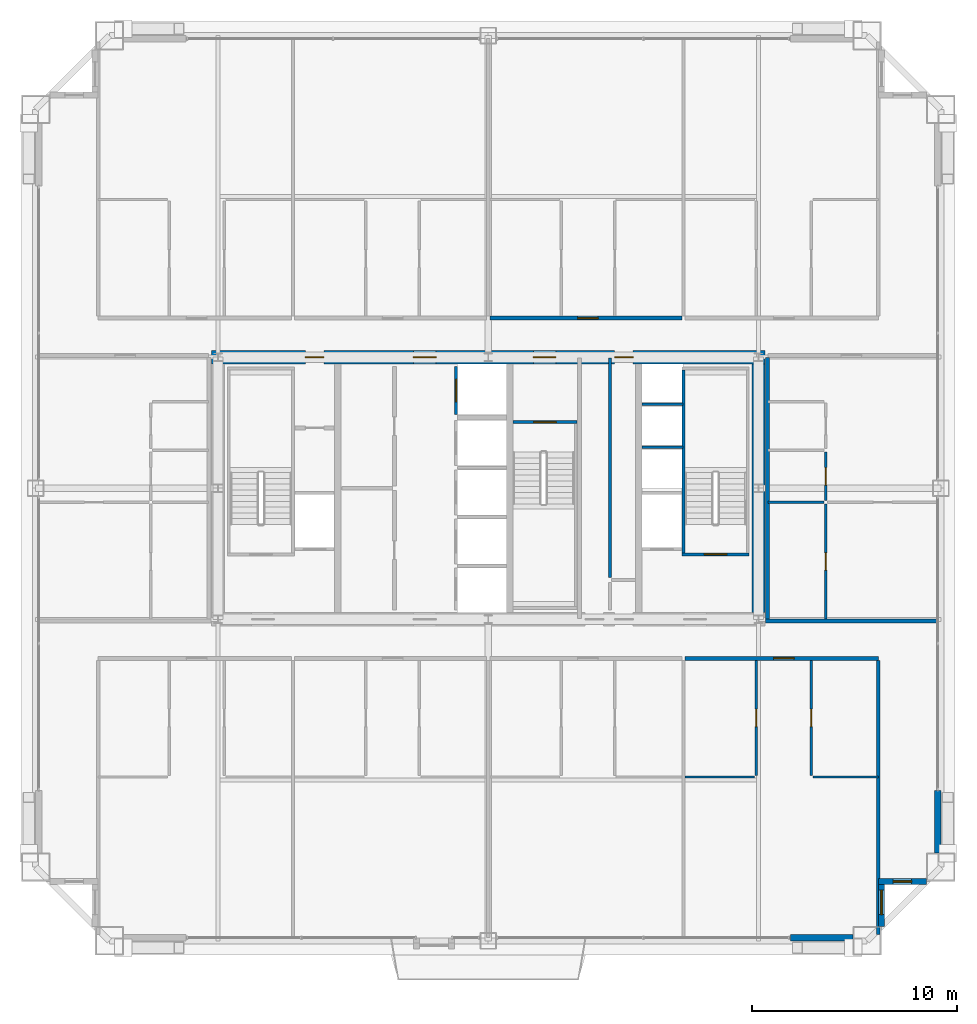
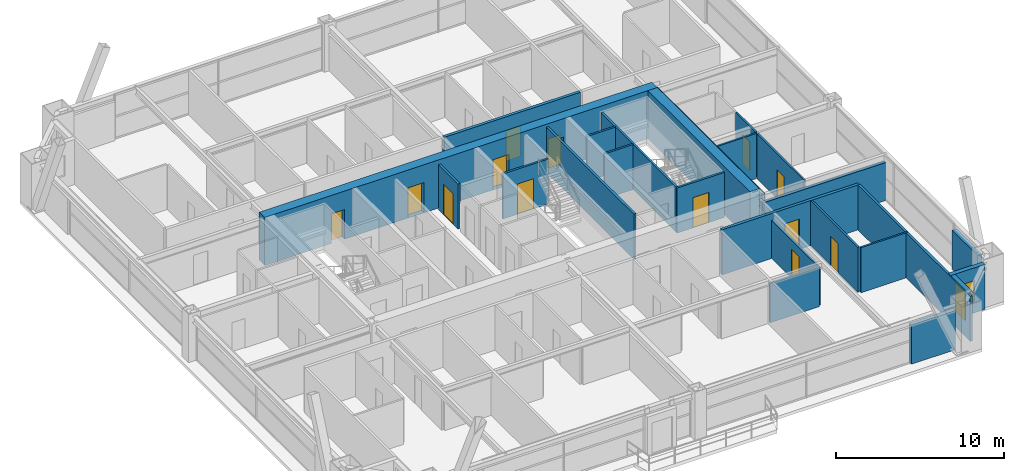
# One storey, part 39 of 42: 25 walls, 13 doors, 2 windows, 15 openings.
"""IFC4 building model written with IfcOpenShell, lengths in metres."""

from ifc_helpers import new_model, si_unit, direction, frame, frame_2d, origin, place, context, subcontext, project, spatial, rectangle, extrude, source, transform, mapped, material, layer, layer_set, type_object, element, fill, save


model = new_model("IFC4")

# Units and contexts
model_context = context("Model", 3, precision=1e-05, world=origin(), true_north=direction((0.0, 1.0)))
body_context = subcontext(model_context, "Body", "Model", "MODEL_VIEW")
ifc_project = project(units=[si_unit("LENGTHUNIT", "METRE"), si_unit("AREAUNIT", "SQUARE_METRE"), si_unit("VOLUMEUNIT", "CUBIC_METRE"), si_unit("PLANEANGLEUNIT", "RADIAN"), si_unit("MASSUNIT", "GRAM", prefix="KILO"), si_unit("THERMODYNAMICTEMPERATUREUNIT", "KELVIN"), si_unit("POWERUNIT", "WATT")], contexts=[model_context])

# Site, building, storey
site_placement = place(None, origin())
site = spatial("IfcSite", under=ifc_project, at=site_placement, CompositionType="ELEMENT")
building_placement = place(site_placement, origin())
building = spatial("IfcBuilding", under=site, at=building_placement, Name="Yuzanri Waterfront Tower", CompositionType="ELEMENT")
storey_placement = place(building_placement, frame((0.0, 0.0, 184.5)))
storey = spatial("IfcBuildingStorey", under=building, at=storey_placement, Name="L48", CompositionType="ELEMENT", Elevation=184.5)

# Wall, opening, door
ifc_material_1 = material(Name="Moisture-Resistant Gypsum Stud Wall", Category="gypsum")
ifc_layer_1 = layer(ifc_material_1, 0.1201171875)
ifc_layer_set_1 = layer_set([ifc_layer_1], Name="Moisture-Resistant Gypsum Stud Wall")
wall_type_1 = type_object("IfcWallType", Name="Bathroom and Kitchen Wet Partition 120", PredefinedType="PARTITIONING", material=ifc_layer_set_1)
wall_1_placement = place(storey_placement, frame((50.090087890625, 11.780029296875, 0.0), z_axis=(0.0, 0.0, 1.0), x_axis=(0.0, 1.0, 0.0)))
wall_1 = element("IfcWall", 1, at=wall_1_placement, inside=storey, type_object=wall_type_1, Name="L48 Partition UW-L48-RS4-SUB-1-E", PredefinedType="PARTITIONING", context=body_context, shape_type="SweptSolid", body=[
    extrude(rectangle(XDim=5.60986328125, YDim=0.1201171875, at=frame_2d((2.804931640625, 0.0))), origin(), (0.0, 0.0, 1.0), 2.77490234375),
])
opening_1_placement = place(wall_1_placement, frame((2.3798828125, 0.0, 0.0)))
opening_1 = element("IfcOpeningElement", 2, at=opening_1_placement, cuts=wall_1, Name="Opening ID-0850", PredefinedType="OPENING", context=body_context, shape_type="SweptSolid", body=[
    extrude(rectangle(XDim=0.85009765625, YDim=2.10009765625, at=frame_2d((0.425048828125, 1.050048828125))), frame((0.0, 0.074951171875, 0.0), z_axis=(0.0, -1.0, 0.0), x_axis=(1.0, 0.0, 0.0)), (0.0, 0.0, 1.0), 0.14990234375),
])
ifc_material_2 = material(Name="Moisture-Resistant Lacquered Timber", Category="wood")
door_type_1 = type_object("IfcDoorType", Name="En-Suite Bathroom and Kitchen Swing Door 850x2100", OperationType="NOTDEFINED", PredefinedType="DOOR", material=ifc_material_2)
shared_shape_1 = source(origin(), body_context, "Body", "SweptSolid", [
    extrude(rectangle(XDim=0.85009765625, YDim=2.10009765625, at=frame_2d((0.425048828125, 1.050048828125))), frame((0.0, 0.02490234375, 0.0), z_axis=(0.0, -1.0, 0.0), x_axis=(1.0, 0.0, 0.0)), (0.0, 0.0, 1.0), 0.050048828125),
])
door_1_placement = place(opening_1_placement, origin())
door_1 = element("IfcDoor", 3, at=door_1_placement, inside=storey, type_object=door_type_1, Name="L48 Suite Interior Room Door", OperationType="SINGLE_SWING_LEFT", OverallHeight=2.10009765625, OverallWidth=0.85009765625, PredefinedType="DOOR", context=body_context, shape_type="MappedRepresentation", body=[
    mapped(shared_shape_1, transform((0.0, 0.0, 0.0), scale=1.0)),
])
fill(opening_1, door_1)

wall_2_placement = place(storey_placement, frame((52.780029296875, 11.780029296875, 0.0), z_axis=(0.0, 0.0, 1.0), x_axis=(0.0, 1.0, 0.0)))
wall_2 = element("IfcWall", 4, at=wall_2_placement, inside=storey, type_object=wall_type_1, Name="L48 Partition UW-L48-RS4-SUB-2-W", PredefinedType="PARTITIONING", context=body_context, shape_type="SweptSolid", body=[
    extrude(rectangle(XDim=5.60986328125, YDim=0.1201171875, at=frame_2d((2.804931640625, 0.0))), origin(), (0.0, 0.0, 1.0), 3.280029296875),
])
opening_2_placement = place(wall_2_placement, frame((2.3798828125, 0.0, 0.0)))
opening_2 = element("IfcOpeningElement", 5, at=opening_2_placement, cuts=wall_2, Name="Opening ID-0850", PredefinedType="OPENING", context=body_context, shape_type="SweptSolid", body=[
    extrude(rectangle(XDim=0.85009765625, YDim=2.10009765625, at=frame_2d((0.425048828125, 1.050048828125))), frame((0.0, 0.074951171875, 0.0), z_axis=(0.0, -1.0, 0.0), x_axis=(1.0, 0.0, 0.0)), (0.0, 0.0, 1.0), 0.14990234375),
])
door_2_placement = place(opening_2_placement, origin())
door_2 = element("IfcDoor", 6, at=door_2_placement, inside=storey, type_object=door_type_1, Name="L48 Suite Interior Room Door", OperationType="SINGLE_SWING_RIGHT", OverallHeight=2.10009765625, OverallWidth=0.85009765625, PredefinedType="DOOR", context=body_context, shape_type="MappedRepresentation", body=[
    mapped(shared_shape_1, transform((0.0, 0.0, 0.0), scale=1.0)),
])
fill(opening_2, door_2)

wall_3_placement = place(storey_placement, frame((53.47998046875, 25.193115234375, 0.0), z_axis=(0.0, 0.0, 1.0), x_axis=(0.0, 1.0, 0.0)))
wall_3 = element("IfcWall", 7, at=wall_3_placement, inside=storey, type_object=wall_type_1, Name="L48 Partition UW-L48-RE1-SUB-1-E", PredefinedType="PARTITIONING", context=body_context, shape_type="SweptSolid", body=[
    extrude(rectangle(XDim=2.37890625, YDim=0.1201171875, at=frame_2d((1.189453125, 0.0))), origin(), (0.0, 0.0, 1.0), 3.280029296875),
])
opening_3_placement = place(wall_3_placement, frame((0.764404296875, 0.0, 0.0)))
opening_3 = element("IfcOpeningElement", 8, at=opening_3_placement, cuts=wall_3, Name="Opening ID-0850", PredefinedType="OPENING", context=body_context, shape_type="SweptSolid", body=[
    extrude(rectangle(XDim=0.85009765625, YDim=2.10009765625, at=frame_2d((0.425048828125, 1.050048828125))), frame((0.0, 0.074951171875, 0.0), z_axis=(0.0, -1.0, 0.0), x_axis=(1.0, 0.0, 0.0)), (0.0, 0.0, 1.0), 0.14990234375),
])
door_3_placement = place(opening_3_placement, origin())
door_3 = element("IfcDoor", 9, at=door_3_placement, inside=storey, type_object=door_type_1, Name="L48 Suite Interior Room Door", OperationType="SINGLE_SWING_LEFT", OverallHeight=2.10009765625, OverallWidth=0.85009765625, PredefinedType="DOOR", context=body_context, shape_type="MappedRepresentation", body=[
    mapped(shared_shape_1, transform((0.0, 0.0, 0.0), scale=1.0)),
])
fill(opening_3, door_3)

wall_4_placement = place(storey_placement, frame((53.47998046875, 19.409912109375, 0.0), z_axis=(0.0, 0.0, 1.0), x_axis=(0.0, 1.0, 0.0)))
wall_4 = element("IfcWall", 10, at=wall_4_placement, inside=storey, type_object=wall_type_1, Name="L48 Partition UW-L48-RE1-SUB-3-W", PredefinedType="PARTITIONING", context=body_context, shape_type="SweptSolid", body=[
    extrude(rectangle(XDim=5.623046875, YDim=0.1201171875, at=frame_2d((2.8115234375, 0.0))), origin(), (0.0, 0.0, 1.0), 3.280029296875),
])
opening_4_placement = place(wall_4_placement, frame((2.386474609375, 0.0, 0.0)))
opening_4 = element("IfcOpeningElement", 11, at=opening_4_placement, cuts=wall_4, Name="Opening ID-0850", PredefinedType="OPENING", context=body_context, shape_type="SweptSolid", body=[
    extrude(rectangle(XDim=0.85009765625, YDim=2.10009765625, at=frame_2d((0.425048828125, 1.050048828125))), frame((0.0, 0.074951171875, 0.0), z_axis=(0.0, -1.0, 0.0), x_axis=(1.0, 0.0, 0.0)), (0.0, 0.0, 1.0), 0.14990234375),
])
door_4_placement = place(opening_4_placement, origin())
door_4 = element("IfcDoor", 12, at=door_4_placement, inside=storey, type_object=door_type_1, Name="L48 Suite Interior Room Door", OperationType="SINGLE_SWING_RIGHT", OverallHeight=2.10009765625, OverallWidth=0.85009765625, PredefinedType="DOOR", context=body_context, shape_type="MappedRepresentation", body=[
    mapped(shared_shape_1, transform((0.0, 0.0, 0.0), scale=1.0)),
])
fill(opening_4, door_4)

# Wall, opening, window
ifc_material_3 = material(Name="Honed Chongqing Dark Basalt Stone", Category="masonry")
ifc_layer_2 = layer(ifc_material_3, 0.300048828125)
ifc_layer_set_2 = layer_set([ifc_layer_2], Name="Honed Chongqing Dark Basalt Stone")
wall_type_2 = type_object("IfcWallType", Name="Bronze Rainscreen Insulated Spandrel Portal Wall 300", PredefinedType="SOLIDWALL", material=ifc_layer_set_2)
wall_5_placement = place(storey_placement, frame((56.050048828125, 6.60009765625, 0.0), z_axis=(0.0, 0.0, 1.0), x_axis=(1.0, 0.0, 0.0)))
wall_5 = element("IfcWall", 13, at=wall_5_placement, inside=storey, type_object=wall_type_2, Name="L48 Notched Corner Masonry Wall SE-X", PredefinedType="SOLIDWALL", context=body_context, shape_type="SweptSolid", body=[
    extrude(rectangle(XDim=2.349853515625, YDim=0.300048828125, at=frame_2d((1.1748046875, 0.0))), origin(), (0.0, 0.0, 1.0), 3.280029296875),
])
opening_5_placement = place(wall_5_placement, frame((0.72509765625, 0.0, 0.85009765625)))
opening_5 = element("IfcOpeningElement", 14, at=opening_5_placement, cuts=wall_5, Name="Opening WN-05", PredefinedType="OPENING", context=body_context, shape_type="SweptSolid", body=[
    extrude(rectangle(XDim=0.89990234375, YDim=1.5, at=frame_2d((0.449951171875, 0.75))), frame((0.0, 0.1650390625, 0.0), z_axis=(0.0, -1.0, 0.0), x_axis=(1.0, 0.0, 0.0)), (0.0, 0.0, 1.0), 0.329833984375),
])
ifc_material_4 = material(Name="Double-Silver Low-E Insulated Glass", Category="glass")
window_type_1 = type_object("IfcWindowType", Name="Anodized Bronze Service and Stairwell Smoke-Vent Window 900x1500", PartitioningType="SINGLE_PANEL", PredefinedType="WINDOW", material=ifc_material_4)
shared_shape_2 = source(origin(), body_context, "Body", "SweptSolid", [
    extrude(rectangle(XDim=0.89990234375, YDim=1.5, at=frame_2d((0.449951171875, 0.75))), frame((0.0, 0.030029296875, 0.0), z_axis=(0.0, -1.0, 0.0), x_axis=(1.0, 0.0, 0.0)), (0.0, 0.0, 1.0), 0.06005859375),
])
window_1_placement = place(opening_5_placement, origin())
window_1 = element("IfcWindow", 15, at=window_1_placement, inside=storey, type_object=window_type_1, Name="L48 Notched Corner Window SE-X", OverallHeight=1.5, OverallWidth=0.89990234375, PartitioningType="SINGLE_PANEL", PredefinedType="WINDOW", context=body_context, shape_type="MappedRepresentation", body=[
    mapped(shared_shape_2, transform((0.0, 0.0, 0.0), scale=1.0)),
])
fill(opening_5, window_1)

wall_6_placement = place(storey_placement, frame((56.199951171875, 4.39990234375, 0.0), z_axis=(0.0, 0.0, 1.0), x_axis=(0.0, 1.0, 0.0)))
wall_6 = element("IfcWall", 16, at=wall_6_placement, inside=storey, type_object=wall_type_2, Name="L48 Notched Corner Masonry Wall SE-Y", PredefinedType="SOLIDWALL", context=body_context, shape_type="SweptSolid", body=[
    extrude(rectangle(XDim=2.35009765625, YDim=0.300048828125, at=frame_2d((1.175048828125, 0.0))), origin(), (0.0, 0.0, 1.0), 3.280029296875),
])
opening_6_placement = place(wall_6_placement, frame((0.574951171875, 0.0, 0.85009765625)))
opening_6 = element("IfcOpeningElement", 17, at=opening_6_placement, cuts=wall_6, Name="Opening WN-02", PredefinedType="OPENING", context=body_context, shape_type="SweptSolid", body=[
    extrude(rectangle(XDim=1.199951171875, YDim=2.10009765625, at=frame_2d((0.60009765625, 1.050048828125))), frame((0.0, 0.1650390625, 0.0), z_axis=(0.0, -1.0, 0.0), x_axis=(1.0, 0.0, 0.0)), (0.0, 0.0, 1.0), 0.329833984375),
])
ifc_material_5 = material(Name="Double-Silver Low-E Insulated Glass", Category="glass")
window_type_2 = type_object("IfcWindowType", Name="Anodized Bronze Notched Corner Deep-Set Slot Window 1200x2100", PartitioningType="SINGLE_PANEL", PredefinedType="WINDOW", material=ifc_material_5)
shared_shape_3 = source(origin(), body_context, "Body", "SweptSolid", [
    extrude(rectangle(XDim=1.199951171875, YDim=2.10009765625, at=frame_2d((0.60009765625, 1.050048828125))), frame((0.0, 0.030029296875, 0.0), z_axis=(0.0, -1.0, 0.0), x_axis=(1.0, 0.0, 0.0)), (0.0, 0.0, 1.0), 0.06005859375),
])
window_2_placement = place(opening_6_placement, origin())
window_2 = element("IfcWindow", 18, at=window_2_placement, inside=storey, type_object=window_type_2, Name="L48 Notched Corner Window SE-Y", OverallHeight=2.10009765625, OverallWidth=1.199951171875, PartitioningType="SINGLE_PANEL", PredefinedType="WINDOW", context=body_context, shape_type="MappedRepresentation", body=[
    mapped(shared_shape_3, transform((0.0, 0.0, 0.0), scale=1.0)),
])
fill(opening_6, window_2)

# Wall, openings, doors
ifc_material_6 = material(Name="Concrete C50", Category="concrete")
ifc_layer_3 = layer(ifc_material_6, 0.64990234375)
ifc_layer_set_3 = layer_set([ifc_layer_3], Name="Concrete C50")
wall_type_3 = type_object("IfcWallType", Name="Concrete C50 Mid Zone Core Shear Wall 650", PredefinedType="SHEAR", material=ifc_layer_set_3)
wall_7_placement = place(storey_placement, frame((23.47509765625, 32.199951171875, 0.0), z_axis=(0.0, 0.0, 1.0), x_axis=(1.0, 0.0, 0.0)))
wall_7 = element("IfcWall", 19, at=wall_7_placement, inside=storey, type_object=wall_type_3, Name="L48 Core North Shear Wall", PredefinedType="SHEAR", context=body_context, shape_type="SweptSolid", body=[
    extrude(rectangle(XDim=27.0498046875, YDim=0.64990234375, at=frame_2d((13.52490234375, 0.0))), origin(), (0.0, 0.0, 1.0), 3.5),
])
opening_7_placement = place(wall_7_placement, frame((4.594970703125, 0.0, 0.0)))
opening_7 = element("IfcOpeningElement", 20, at=opening_7_placement, cuts=wall_7, Name="Opening FD-0900", PredefinedType="OPENING", context=body_context, shape_type="SweptSolid", body=[
    extrude(rectangle(XDim=0.89990234375, YDim=2.14990234375, at=frame_2d((0.449951171875, 1.074951171875))), frame((0.0, 0.33984375, 0.0), z_axis=(0.0, -1.0, 0.0), x_axis=(1.0, 0.0, 0.0)), (0.0, 0.0, 1.0), 0.6796875),
])
opening_8_placement = place(wall_7_placement, frame((9.875, 0.0, 0.0)))
opening_8 = element("IfcOpeningElement", 21, at=opening_8_placement, cuts=wall_7, Name="Opening FD-1100", PredefinedType="OPENING", context=body_context, shape_type="SweptSolid", body=[
    extrude(rectangle(XDim=1.10009765625, YDim=2.199951171875, at=frame_2d((0.550048828125, 1.10009765625))), frame((0.0, 0.33984375, 0.0), z_axis=(0.0, -1.0, 0.0), x_axis=(1.0, 0.0, 0.0)), (0.0, 0.0, 1.0), 0.6796875),
])
opening_9_placement = place(wall_7_placement, frame((15.72509765625, 0.0, 0.0)))
opening_9 = element("IfcOpeningElement", 22, at=opening_9_placement, cuts=wall_7, Name="Opening FD-1100", PredefinedType="OPENING", context=body_context, shape_type="SweptSolid", body=[
    extrude(rectangle(XDim=1.10009765625, YDim=2.199951171875, at=frame_2d((0.550048828125, 1.10009765625))), frame((0.0, 0.33984375, 0.0), z_axis=(0.0, -1.0, 0.0), x_axis=(1.0, 0.0, 0.0)), (0.0, 0.0, 1.0), 0.6796875),
])
opening_10_placement = place(wall_7_placement, frame((19.695068359375, 0.0, 0.0)))
opening_10 = element("IfcOpeningElement", 23, at=opening_10_placement, cuts=wall_7, Name="Opening FD-0900", PredefinedType="OPENING", context=body_context, shape_type="SweptSolid", body=[
    extrude(rectangle(XDim=0.89990234375, YDim=2.14990234375, at=frame_2d((0.449951171875, 1.074951171875))), frame((0.0, 0.33984375, 0.0), z_axis=(0.0, -1.0, 0.0), x_axis=(1.0, 0.0, 0.0)), (0.0, 0.0, 1.0), 0.6796875),
])
ifc_material_7 = material(Name="Painted Galvanized Fire Steel", Category="steel")
door_type_2 = type_object("IfcDoorType", Name="Smoke-Proof Stair and Lobby Fire Door 1100x2200", OperationType="NOTDEFINED", PredefinedType="DOOR", material=ifc_material_7)
shared_shape_4 = source(origin(), body_context, "Body", "SweptSolid", [
    extrude(rectangle(XDim=1.10009765625, YDim=2.199951171875, at=frame_2d((0.550048828125, 1.10009765625))), frame((0.0, 0.02490234375, 0.0), z_axis=(0.0, -1.0, 0.0), x_axis=(1.0, 0.0, 0.0)), (0.0, 0.0, 1.0), 0.050048828125),
])
door_5_placement = place(opening_8_placement, origin())
door_5 = element("IfcDoor", 24, at=door_5_placement, inside=storey, type_object=door_type_2, Name="L48 Central Lift Lobby North Door", OperationType="SINGLE_SWING_LEFT", OverallHeight=2.199951171875, OverallWidth=1.10009765625, PredefinedType="DOOR", context=body_context, shape_type="MappedRepresentation", body=[
    mapped(shared_shape_4, transform((0.0, 0.0, 0.0), scale=1.0)),
])
fill(opening_8, door_5)
door_6_placement = place(opening_9_placement, origin())
door_6 = element("IfcDoor", 25, at=door_6_placement, inside=storey, type_object=door_type_2, Name="L48 North Stair Lobby Door", OperationType="SINGLE_SWING_RIGHT", OverallHeight=2.199951171875, OverallWidth=1.10009765625, PredefinedType="DOOR", context=body_context, shape_type="MappedRepresentation", body=[
    mapped(shared_shape_4, transform((0.0, 0.0, 0.0), scale=1.0)),
])
fill(opening_9, door_6)
ifc_material_8 = material(Name="Painted Galvanized Fire Steel", Category="steel")
door_type_3 = type_object("IfcDoorType", Name="Riser and Service Room Fire Door 900x2150", OperationType="NOTDEFINED", PredefinedType="DOOR", material=ifc_material_8)
shared_shape_5 = source(origin(), body_context, "Body", "SweptSolid", [
    extrude(rectangle(XDim=0.89990234375, YDim=2.14990234375, at=frame_2d((0.449951171875, 1.074951171875))), frame((0.0, 0.02490234375, 0.0), z_axis=(0.0, -1.0, 0.0), x_axis=(1.0, 0.0, 0.0)), (0.0, 0.0, 1.0), 0.050048828125),
])
door_7_placement = place(opening_7_placement, origin())
door_7 = element("IfcDoor", 26, at=door_7_placement, inside=storey, type_object=door_type_3, Name="L48 Telecom Riser Door", OperationType="SINGLE_SWING_RIGHT", OverallHeight=2.14990234375, OverallWidth=0.89990234375, PredefinedType="DOOR", context=body_context, shape_type="MappedRepresentation", body=[
    mapped(shared_shape_5, transform((0.0, 0.0, 0.0), scale=1.0)),
])
fill(opening_7, door_7)
door_8_placement = place(opening_10_placement, origin())
door_8 = element("IfcDoor", 27, at=door_8_placement, inside=storey, type_object=door_type_3, Name="L48 Linen Store Room", OperationType="SINGLE_SWING_RIGHT", OverallHeight=2.14990234375, OverallWidth=0.89990234375, PredefinedType="DOOR", context=body_context, shape_type="MappedRepresentation", body=[
    mapped(shared_shape_5, transform((0.0, 0.0, 0.0), scale=1.0)),
])
fill(opening_10, door_8)

# Wall, opening, door
ifc_material_9 = material(Name="Concrete C40", Category="concrete")
ifc_layer_4 = layer(ifc_material_9, 0.139892578125)
ifc_layer_set_4 = layer_set([ifc_layer_4], Name="Concrete C40")
wall_type_4 = type_object("IfcWallType", Name="Core Stair Liner and Hoistway Shaft Wall 140", PredefinedType="SOLIDWALL", material=ifc_layer_set_4)
wall_8_placement = place(storey_placement, frame((35.429931640625, 29.39990234375, 0.0), z_axis=(0.0, 0.0, 1.0), x_axis=(0.0, 1.0, 0.0)))
wall_8 = element("IfcWall", 28, at=wall_8_placement, inside=storey, type_object=wall_type_4, Name="L48 Lift SL-02 Front Shaft Wall", PredefinedType="SOLIDWALL", context=body_context, shape_type="SweptSolid", body=[
    extrude(rectangle(XDim=2.340087890625, YDim=0.139892578125, at=frame_2d((1.169921875, 0.0))), origin(), (0.0, 0.0, 1.0), 3.280029296875),
])
opening_11_placement = place(wall_8_placement, frame((0.6201171875, 0.0, 0.0)))
opening_11 = element("IfcOpeningElement", 29, at=opening_11_placement, cuts=wall_8, Name="Opening LD-SL-02", PredefinedType="OPENING", context=body_context, shape_type="SweptSolid", body=[
    extrude(rectangle(XDim=1.10009765625, YDim=2.199951171875, at=frame_2d((0.550048828125, 1.10009765625))), frame((0.0, 0.0849609375, 0.0), z_axis=(0.0, -1.0, 0.0), x_axis=(1.0, 0.0, 0.0)), (0.0, 0.0, 1.0), 0.169677734375),
])
ifc_material_10 = material(Name="Brushed Bronze and Stainless Steel Cab", Category="steel")
door_type_4 = type_object("IfcDoorType", Name="Center-Parting Bronze Lift Landing Sliding Door 1100x2200", OperationType="NOTDEFINED", PredefinedType="DOOR", material=ifc_material_10)
shared_shape_6 = source(origin(), body_context, "Body", "SweptSolid", [
    extrude(rectangle(XDim=1.10009765625, YDim=2.199951171875, at=frame_2d((0.550048828125, 1.10009765625))), frame((0.0, 0.02490234375, 0.0), z_axis=(0.0, -1.0, 0.0), x_axis=(1.0, 0.0, 0.0)), (0.0, 0.0, 1.0), 0.050048828125),
])
door_9_placement = place(opening_11_placement, origin())
door_9 = element("IfcDoor", 30, at=door_9_placement, inside=storey, type_object=door_type_4, Name="L48 SL-02 Lift Landing Sliding Door", OperationType="SLIDING_TO_RIGHT", OverallHeight=2.199951171875, OverallWidth=1.10009765625, PredefinedType="DOOR", context=body_context, shape_type="MappedRepresentation", body=[
    mapped(shared_shape_6, transform((0.0, 0.0, 0.0), scale=1.0)),
])
fill(opening_11, door_9)

wall_9_placement = place(storey_placement, frame((46.4599609375, 22.570068359375, 0.0), z_axis=(0.0, 0.0, 1.0), x_axis=(1.0, 0.0, 0.0)))
wall_9 = element("IfcWall", 31, at=wall_9_placement, inside=storey, type_object=wall_type_4, Name="L48 Shaft Wall STW-L48-ST-02-S", PredefinedType="SOLIDWALL", context=body_context, shape_type="SweptSolid", body=[
    extrude(rectangle(XDim=3.280029296875, YDim=0.139892578125, at=frame_2d((1.64013671875, 0.0))), origin(), (0.0, 0.0, 1.0), 3.280029296875),
])
opening_12_placement = place(wall_9_placement, frame((1.090087890625, 0.0, 0.0)))
opening_12 = element("IfcOpeningElement", 32, at=opening_12_placement, cuts=wall_9, Name="Opening FD-1100", PredefinedType="OPENING", context=body_context, shape_type="SweptSolid", body=[
    extrude(rectangle(XDim=1.10009765625, YDim=2.199951171875, at=frame_2d((0.550048828125, 1.10009765625))), frame((0.0, 0.0849609375, 0.0), z_axis=(0.0, -1.0, 0.0), x_axis=(1.0, 0.0, 0.0)), (0.0, 0.0, 1.0), 0.169677734375),
])
door_10_placement = place(opening_12_placement, origin())
door_10 = element("IfcDoor", 33, at=door_10_placement, inside=storey, type_object=door_type_2, Name="L48 Stair ST-02 Fire Door", OperationType="SINGLE_SWING_LEFT", OverallHeight=2.199951171875, OverallWidth=1.10009765625, PredefinedType="DOOR", context=body_context, shape_type="MappedRepresentation", body=[
    mapped(shared_shape_4, transform((0.0, 0.0, 0.0), scale=1.0)),
])
fill(opening_12, door_10)

wall_10_placement = place(storey_placement, frame((38.199951171875, 29.030029296875, 0.0), z_axis=(0.0, 0.0, 1.0), x_axis=(1.0, 0.0, 0.0)))
wall_10 = element("IfcWall", 34, at=wall_10_placement, inside=storey, type_object=wall_type_4, Name="L48 Shaft Wall STW-L48-ST-03-N", PredefinedType="SOLIDWALL", context=body_context, shape_type="SweptSolid", body=[
    extrude(rectangle(XDim=3.14013671875, YDim=0.139892578125, at=frame_2d((1.570068359375, 0.0))), origin(), (0.0, 0.0, 1.0), 3.280029296875),
])
opening_13_placement = place(wall_10_placement, frame((1.02001953125, 0.0, 0.0)))
opening_13 = element("IfcOpeningElement", 35, at=opening_13_placement, cuts=wall_10, Name="Opening FD-1100", PredefinedType="OPENING", context=body_context, shape_type="SweptSolid", body=[
    extrude(rectangle(XDim=1.10009765625, YDim=2.199951171875, at=frame_2d((0.550048828125, 1.10009765625))), frame((0.0, 0.0849609375, 0.0), z_axis=(0.0, -1.0, 0.0), x_axis=(1.0, 0.0, 0.0)), (0.0, 0.0, 1.0), 0.169677734375),
])
door_11_placement = place(opening_13_placement, origin())
door_11 = element("IfcDoor", 36, at=door_11_placement, inside=storey, type_object=door_type_2, Name="L48 Stair ST-03 Fire Door", OperationType="SINGLE_SWING_RIGHT", OverallHeight=2.199951171875, OverallWidth=1.10009765625, PredefinedType="DOOR", context=body_context, shape_type="MappedRepresentation", body=[
    mapped(shared_shape_4, transform((0.0, 0.0, 0.0), scale=1.0)),
])
fill(opening_13, door_11)

ifc_material_11 = material(Name="Autoclaved Aerated Concrete Blockwork", Category="masonry")
ifc_layer_5 = layer(ifc_material_11, 0.199951171875)
ifc_layer_set_5 = layer_set([ifc_layer_5], Name="Autoclaved Aerated Concrete Blockwork")
wall_type_5 = type_object("IfcWallType", Name="Corridor and Unit Party Fire Wall 200", PredefinedType="PARTITIONING", material=ifc_layer_set_5)
wall_11_placement = place(storey_placement, frame((46.610107421875, 17.489990234375, 0.0), z_axis=(0.0, 0.0, 1.0), x_axis=(1.0, 0.0, 0.0)))
wall_11 = element("IfcWall", 37, at=wall_11_placement, inside=storey, type_object=wall_type_5, Name="L48 Partition UW-L48-RS4-CN", PredefinedType="PARTITIONING", context=body_context, shape_type="SweptSolid", body=[
    extrude(rectangle(XDim=9.449951171875, YDim=0.199951171875, at=frame_2d((4.72509765625, 0.0))), origin(), (0.0, 0.0, 1.0), 3.280029296875),
])
opening_14_placement = place(wall_11_placement, frame((4.324951171875, 0.0, 0.0)))
opening_14 = element("IfcOpeningElement", 38, at=opening_14_placement, cuts=wall_11, Name="Opening FD-1000", PredefinedType="OPENING", context=body_context, shape_type="SweptSolid", body=[
    extrude(rectangle(XDim=1.0, YDim=2.199951171875, at=frame_2d((0.5, 1.10009765625))), frame((0.0, 0.11474609375, 0.0), z_axis=(0.0, -1.0, 0.0), x_axis=(1.0, 0.0, 0.0)), (0.0, 0.0, 1.0), 0.229736328125),
])
ifc_material_12 = material(Name="Engineered Oak Fire-Rated Timber", Category="wood")
door_type_5 = type_object("IfcDoorType", Name="Guestroom and Apartment Entrance Fire Door 1000x2200", OperationType="NOTDEFINED", PredefinedType="DOOR", material=ifc_material_12)
shared_shape_7 = source(origin(), body_context, "Body", "SweptSolid", [
    extrude(rectangle(XDim=1.0, YDim=2.199951171875, at=frame_2d((0.5, 1.10009765625))), frame((0.0, 0.02490234375, 0.0), z_axis=(0.0, -1.0, 0.0), x_axis=(1.0, 0.0, 0.0)), (0.0, 0.0, 1.0), 0.050048828125),
])
door_12_placement = place(opening_14_placement, origin())
door_12 = element("IfcDoor", 39, at=door_12_placement, inside=storey, type_object=door_type_5, Name="L48 Studio Living and Sleeping Room Entrance Door", OperationType="SINGLE_SWING_RIGHT", OverallHeight=2.199951171875, OverallWidth=1.0, PredefinedType="DOOR", context=body_context, shape_type="MappedRepresentation", body=[
    mapped(shared_shape_7, transform((0.0, 0.0, 0.0), scale=1.0)),
])
fill(opening_14, door_12)

wall_12_placement = place(storey_placement, frame((37.080078125, 34.110107421875, 0.0), z_axis=(0.0, 0.0, 1.0), x_axis=(1.0, 0.0, 0.0)))
wall_12 = element("IfcWall", 40, at=wall_12_placement, inside=storey, type_object=wall_type_5, Name="L48 Partition UW-L48-RN3-CS", PredefinedType="PARTITIONING", context=body_context, shape_type="SweptSolid", body=[
    extrude(rectangle(XDim=9.369873046875, YDim=0.199951171875, at=frame_2d((4.68505859375, 0.0))), origin(), (0.0, 0.0, 1.0), 3.280029296875),
])
opening_15_placement = place(wall_12_placement, frame((4.281982421875, 0.0, 0.0)))
opening_15 = element("IfcOpeningElement", 41, at=opening_15_placement, cuts=wall_12, Name="Opening FD-1000", PredefinedType="OPENING", context=body_context, shape_type="SweptSolid", body=[
    extrude(rectangle(XDim=1.0, YDim=2.199951171875, at=frame_2d((0.5, 1.10009765625))), frame((0.0, 0.11474609375, 0.0), z_axis=(0.0, -1.0, 0.0), x_axis=(1.0, 0.0, 0.0)), (0.0, 0.0, 1.0), 0.229736328125),
])
door_13_placement = place(opening_15_placement, origin())
door_13 = element("IfcDoor", 42, at=door_13_placement, inside=storey, type_object=door_type_5, Name="L48 Studio Living and Sleeping Room Entrance Door", OperationType="SINGLE_SWING_LEFT", OverallHeight=2.199951171875, OverallWidth=1.0, PredefinedType="DOOR", context=body_context, shape_type="MappedRepresentation", body=[
    mapped(shared_shape_7, transform((0.0, 0.0, 0.0), scale=1.0)),
])
fill(opening_15, door_13)

# Walls
shared_shape_8 = source(origin(), body_context, "Body", "SweptSolid", [
    extrude(rectangle(XDim=12.14990234375, YDim=0.64990234375, at=frame_2d((6.074951171875, 0.0))), origin(), (0.0, 0.0, 1.0), 3.5),
])
wall_13_placement = place(storey_placement, frame((50.199951171875, 19.72509765625, 0.0), z_axis=(0.0, 0.0, 1.0), x_axis=(0.0, 1.0, 0.0)))
element("IfcWall", 43, at=wall_13_placement, inside=storey, type_object=wall_type_3, Name="L48 Core East Shear Wall", PredefinedType="SHEAR", context=body_context, shape_type="MappedRepresentation", body=[
    mapped(shared_shape_8, transform((0.0, 0.0, 0.0), scale=1.0)),
])
shared_shape_9 = source(origin(), body_context, "Body", "SweptSolid", [
    extrude(rectangle(XDim=3.050048828125, YDim=0.300048828125, at=frame_2d((1.52490234375, 0.0))), origin(), (0.0, 0.0, 1.0), 2.8349609375),
])
for number, where, z_axis, x_axis, name in (
    (44, (51.75, 3.85009765625, 0.0), (0.0, 0.0, 1.0), (1.0, 0.0, 0.0), "L48 S Right Braced Masonry Shoulder"),
    (45, (58.949951171875, 8.0, 0.0), (0.0, 0.0, 1.0), (0.0, 1.0, 0.0), "L48 E Left Braced Masonry Shoulder"),
):
    element("IfcWall", number, at=place(storey_placement, frame(where, z_axis=z_axis, x_axis=x_axis)), inside=storey, type_object=wall_type_2, Name=name, PredefinedType="SOLIDWALL", context=body_context, shape_type="MappedRepresentation", body=[
        mapped(shared_shape_9, transform((0.0, 0.0, 0.0), scale=1.0)),
    ])
shared_shape_10 = source(origin(), body_context, "Body", "SweptSolid", [
    extrude(rectangle(XDim=2.0, YDim=0.139892578125, at=frame_2d((1.0, 0.0))), origin(), (0.0, 0.0, 1.0), 3.280029296875),
])
for number, where, z_axis, x_axis, name in (
    (46, (44.5, 27.800048828125, 0.0), (0.0, 0.0, 1.0), (1.0, 0.0, 0.0), "L48 Lift PL-09 Divider Wall"),
    (47, (44.5, 29.89990234375, 0.0), (0.0, 0.0, 1.0), (1.0, 0.0, 0.0), "L48 Lift PL-10 Divider Wall"),
):
    element("IfcWall", number, at=place(storey_placement, frame(where, z_axis=z_axis, x_axis=x_axis)), inside=storey, type_object=wall_type_4, Name=name, PredefinedType="SOLIDWALL", context=body_context, shape_type="MappedRepresentation", body=[
        mapped(shared_shape_10, transform((0.0, 0.0, 0.0), scale=1.0)),
    ])
shared_shape_11 = source(origin(), body_context, "Body", "SweptSolid", [
    extrude(rectangle(XDim=8.940185546875, YDim=0.139892578125, at=frame_2d((4.47021484375, 0.0))), origin(), (0.0, 0.0, 1.0), 3.280029296875),
])
wall_14_placement = place(storey_placement, frame((46.530029296875, 22.639892578125, 0.0), z_axis=(0.0, 0.0, 1.0), x_axis=(0.0, 1.0, 0.0)))
element("IfcWall", 48, at=wall_14_placement, inside=storey, type_object=wall_type_4, Name="L48 Stair ST-02 West Shaft Wall", PredefinedType="SOLIDWALL", context=body_context, shape_type="MappedRepresentation", body=[
    mapped(shared_shape_11, transform((0.0, 0.0, 0.0), scale=1.0)),
])
ifc_material_13 = material(Name="Gypsum Fireboard Acoustic Stud Wall", Category="gypsum")
ifc_layer_6 = layer(ifc_material_13, 0.159912109375)
ifc_layer_set_6 = layer_set([ifc_layer_6], Name="Gypsum Fireboard Acoustic Stud Wall")
wall_type_6 = type_object("IfcWallType", Name="Acoustic Suite Demising Partition 160", PredefinedType="PARTITIONING", material=ifc_layer_set_6)
shared_shape_12 = source(origin(), body_context, "Body", "SweptSolid", [
    extrude(rectangle(XDim=10.719970703125, YDim=0.159912109375, at=frame_2d((5.35986328125, 0.0))), origin(), (0.0, 0.0, 1.0), 3.280029296875),
])
wall_15_placement = place(storey_placement, frame((42.949951171875, 21.43994140625, 0.0), z_axis=(0.0, 0.0, 1.0), x_axis=(0.0, 1.0, 0.0)))
element("IfcWall", 49, at=wall_15_placement, inside=storey, type_object=wall_type_6, Name="L48 Core BOH Mid Wall 2", PredefinedType="PARTITIONING", context=body_context, shape_type="MappedRepresentation", body=[
    mapped(shared_shape_12, transform((0.0, 0.0, 0.0), scale=1.0)),
])
shared_shape_13 = source(origin(), body_context, "Body", "SweptSolid", [
    extrude(rectangle(XDim=13.389892578125, YDim=0.159912109375, at=frame_2d((6.69482421875, 0.0))), origin(), (0.0, 0.0, 1.0), 3.280029296875),
])
wall_16_placement = place(storey_placement, frame((56.050048828125, 4.0, 0.0), z_axis=(0.0, 0.0, 1.0), x_axis=(0.0, 1.0, 0.0)))
element("IfcWall", 50, at=wall_16_placement, inside=storey, type_object=wall_type_6, Name="L48 South Band East End Wall", PredefinedType="PARTITIONING", context=body_context, shape_type="MappedRepresentation", body=[
    mapped(shared_shape_13, transform((0.0, 0.0, 0.0), scale=1.0)),
])
shared_shape_14 = source(origin(), body_context, "Body", "SweptSolid", [
    extrude(rectangle(XDim=3.39990234375, YDim=0.1201171875, at=frame_2d((1.699951171875, 0.0))), origin(), (0.0, 0.0, 1.0), 2.875),
])
wall_17_placement = place(storey_placement, frame((46.610107421875, 11.699951171875, 0.0), z_axis=(0.0, 0.0, 1.0), x_axis=(1.0, 0.0, 0.0)))
element("IfcWall", 51, at=wall_17_placement, inside=storey, type_object=wall_type_1, Name="L48 Partition UW-L48-RS4-SUB-1-S", PredefinedType="PARTITIONING", context=body_context, shape_type="MappedRepresentation", body=[
    mapped(shared_shape_14, transform((0.0, 0.0, 0.0), scale=1.0)),
])
shared_shape_15 = source(origin(), body_context, "Body", "SweptSolid", [
    extrude(rectangle(XDim=3.199951171875, YDim=0.1201171875, at=frame_2d((1.60009765625, 0.0))), origin(), (0.0, 0.0, 1.0), 3.280029296875),
])
wall_18_placement = place(storey_placement, frame((52.860107421875, 11.699951171875, 0.0), z_axis=(0.0, 0.0, 1.0), x_axis=(1.0, 0.0, 0.0)))
element("IfcWall", 52, at=wall_18_placement, inside=storey, type_object=wall_type_1, Name="L48 Partition UW-L48-RS4-SUB-2-S", PredefinedType="PARTITIONING", context=body_context, shape_type="MappedRepresentation", body=[
    mapped(shared_shape_15, transform((0.0, 0.0, 0.0), scale=1.0)),
])
shared_shape_16 = source(origin(), body_context, "Body", "SweptSolid", [
    extrude(rectangle(XDim=8.39990234375, YDim=0.199951171875, at=frame_2d((4.199951171875, 0.0))), origin(), (0.0, 0.0, 1.0), 2.77490234375),
])
wall_19_placement = place(storey_placement, frame((50.550048828125, 19.31005859375, 0.0), z_axis=(0.0, 0.0, 1.0), x_axis=(1.0, 0.0, 0.0)))
element("IfcWall", 53, at=wall_19_placement, inside=storey, type_object=wall_type_5, Name="L48-RE1 Wing South Wall", PredefinedType="PARTITIONING", context=body_context, shape_type="MappedRepresentation", body=[
    mapped(shared_shape_16, transform((0.0, 0.0, 0.0), scale=1.0)),
])
shared_shape_17 = source(origin(), body_context, "Body", "SweptSolid", [
    extrude(rectangle(XDim=12.780029296875, YDim=0.199951171875, at=frame_2d((6.39013671875, 0.0))), origin(), (0.0, 0.0, 1.0), 3.280029296875),
])
wall_20_placement = place(storey_placement, frame((50.6298828125, 19.409912109375, 0.0), z_axis=(0.0, 0.0, 1.0), x_axis=(0.0, 1.0, 0.0)))
element("IfcWall", 54, at=wall_20_placement, inside=storey, type_object=wall_type_5, Name="L48-RE1 Wing Inner Core-Side Wall", PredefinedType="PARTITIONING", context=body_context, shape_type="MappedRepresentation", body=[
    mapped(shared_shape_17, transform((0.0, 0.0, 0.0), scale=1.0)),
])
shared_shape_18 = source(origin(), body_context, "Body", "SweptSolid", [
    extrude(rectangle(XDim=2.75, YDim=0.1201171875, at=frame_2d((1.375, 0.0))), origin(), (0.0, 0.0, 1.0), 3.280029296875),
])
wall_21_placement = place(storey_placement, frame((50.64990234375, 25.113037109375, 0.0), z_axis=(0.0, 0.0, 1.0), x_axis=(1.0, 0.0, 0.0)))
element("IfcWall", 55, at=wall_21_placement, inside=storey, type_object=wall_type_1, Name="L48 Partition UW-L48-RE1-SUB-1-S", PredefinedType="PARTITIONING", context=body_context, shape_type="MappedRepresentation", body=[
    mapped(shared_shape_18, transform((0.0, 0.0, 0.0), scale=1.0)),
])

save(model, "model.ifc")
